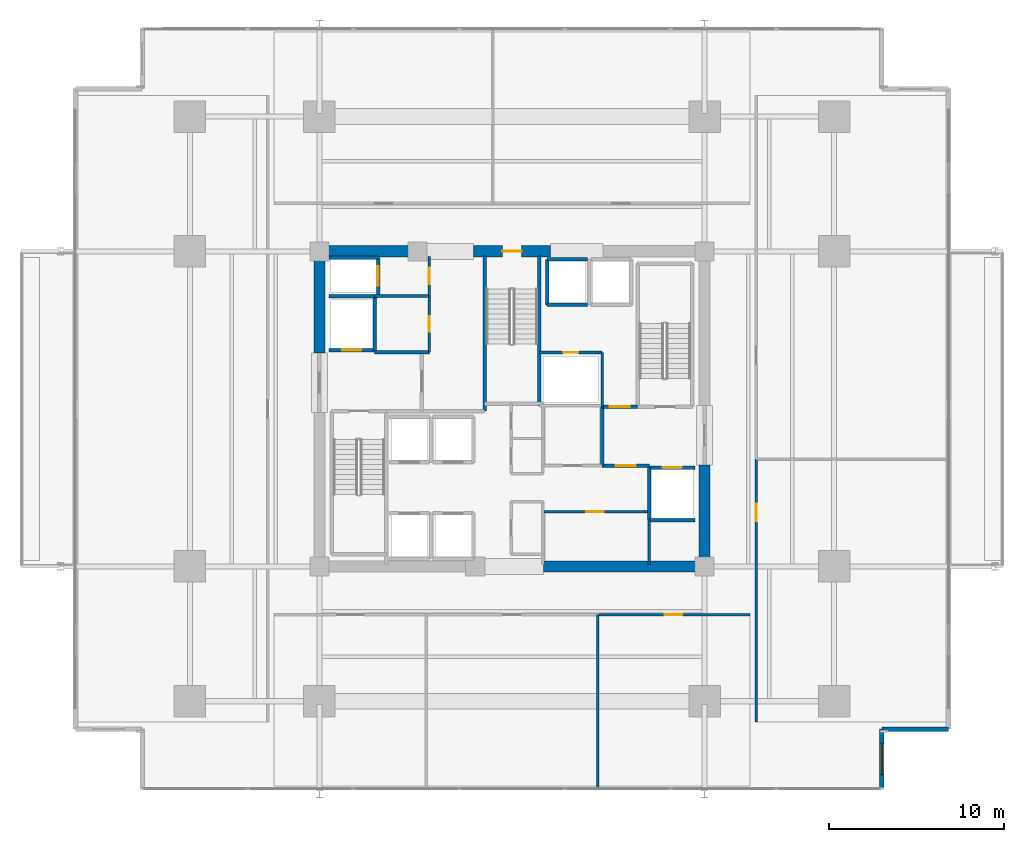
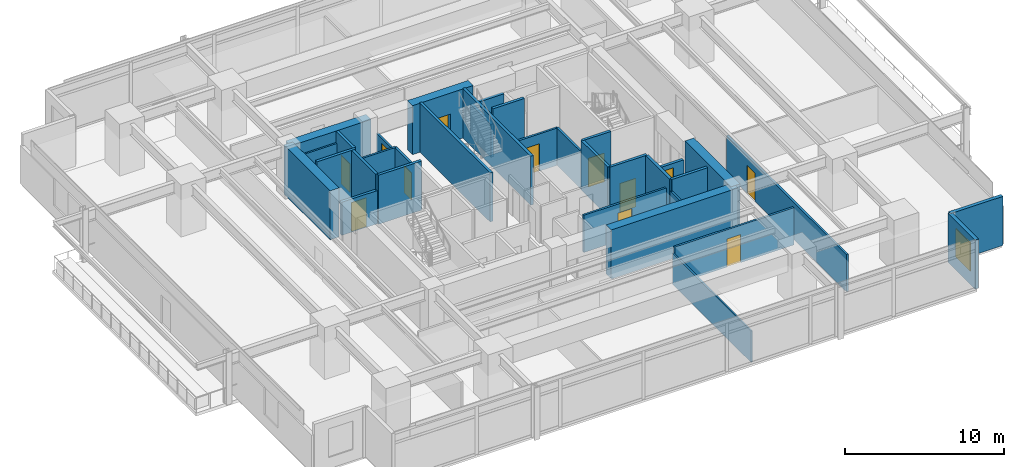
# One storey, part 16 of 21: 34 walls, 12 doors, 1 window, 13 openings.
"""IFC4 building model written with IfcOpenShell, lengths in metres."""

from ifc_helpers import new_model, si_unit, direction, frame, frame_2d, origin, place, context, subcontext, project, spatial, rectangle, extrude, material, layer, layer_set, type_object, element, fill, save


model = new_model("IFC4")

# Units and contexts
model_context = context("Model", 3, precision=1e-05, world=origin(), true_north=direction((0.0, 1.0)))
body_context = subcontext(model_context, "Body", "Model", "MODEL_VIEW")
ifc_project = project(units=[si_unit("LENGTHUNIT", "METRE"), si_unit("AREAUNIT", "SQUARE_METRE"), si_unit("VOLUMEUNIT", "CUBIC_METRE"), si_unit("PLANEANGLEUNIT", "RADIAN"), si_unit("MASSUNIT", "GRAM", prefix="KILO")], contexts=[model_context])

# Site, building, storey
site_placement = place(None, origin())
site = spatial("IfcSite", under=ifc_project, at=site_placement, CompositionType="ELEMENT")
building_placement = place(site_placement, origin())
building = spatial("IfcBuilding", under=site, at=building_placement, Name="Kovane Verandah Tower", CompositionType="ELEMENT")
storey_placement = place(building_placement, frame((0.0, 0.0, 31.60009765625)))
storey = spatial("IfcBuildingStorey", under=building, at=storey_placement, Name="L06", CompositionType="ELEMENT", Elevation=31.60009765625)

# Wall
ifc_material_1 = material(Name="Fire-Rated Gypsum Stud Partition", Category="gypsum")
ifc_layer_1 = layer(ifc_material_1, 0.14990234375)
ifc_layer_set_1 = layer_set([ifc_layer_1], Name="Fire-Rated Gypsum Stud Partition")
wall_type_1 = type_object("IfcWallType", Name="WL-COR-150", PredefinedType="PARTITIONING", material=ifc_layer_set_1)
wall_1_placement = place(storey_placement, frame((32.14990234375, 33.949951171875, 0.0), z_axis=(0.0, 0.0, 1.0), x_axis=(1.0, 0.0, 0.0)))
element("IfcWall", 1, at=wall_1_placement, inside=storey, type_object=wall_type_1, Name="L06 Goods Lift Lobby South Wall", PredefinedType="PARTITIONING", context=body_context, shape_type="SweptSolid", body=[
    extrude(rectangle(XDim=3.130126953125, YDim=0.14990234375, at=frame_2d((1.56494140625, 0.0))), origin(), (0.0, 0.0, 1.0), 2.849853515625),
])

# Wall, opening, door
wall_2_placement = place(storey_placement, frame((35.280029296875, 33.949951171875, 0.0), z_axis=(0.0, 0.0, 1.0), x_axis=(0.0, 1.0, 0.0)))
wall_2 = element("IfcWall", 2, at=wall_2_placement, inside=storey, type_object=wall_type_1, Name="L06 Goods Lift Lobby East Fire Partition", PredefinedType="PARTITIONING", context=body_context, shape_type="SweptSolid", body=[
    extrude(rectangle(XDim=2.27001953125, YDim=0.14990234375, at=frame_2d((1.135009765625, 0.0))), origin(), (0.0, 0.0, 1.0), 2.539794921875),
])
opening_1_placement = place(wall_2_placement, frame((0.659912109375, 0.0, 0.0)))
opening_1 = element("IfcOpeningElement", 3, at=opening_1_placement, cuts=wall_2, Name="Opening DR-L06-008", PredefinedType="OPENING", context=body_context, shape_type="SweptSolid", body=[
    extrude(rectangle(XDim=0.949951171875, YDim=2.14990234375, at=frame_2d((0.47509765625, 1.074951171875))), frame((0.0, 0.074951171875, 0.0), z_axis=(0.0, -1.0, 0.0), x_axis=(1.0, 0.0, 0.0)), (0.0, 0.0, 1.0), 0.14990234375),
])
ifc_material_2 = material(Name="Fire-Rated Steel Refuge and Lobby Door", Category="steel")
door_type_1 = type_object("IfcDoorType", Name="DR-FIRE-950", OperationType="SINGLE_SWING_LEFT", PredefinedType="DOOR", material=ifc_material_2)
door_1_placement = place(opening_1_placement, origin())
door_1 = element("IfcDoor", 4, at=door_1_placement, inside=storey, type_object=door_type_1, Name="L06 Goods Lift Lobby Fire Door", OperationType="SINGLE_SWING_LEFT", OverallHeight=2.14990234375, OverallWidth=0.949951171875, PredefinedType="DOOR", context=body_context, shape_type="SweptSolid", body=[
    extrude(rectangle(XDim=0.949951171875, YDim=2.14990234375, at=frame_2d((0.47509765625, 1.074951171875))), frame((0.0, 0.02490234375, 0.0), z_axis=(0.0, -1.0, 0.0), x_axis=(1.0, 0.0, 0.0)), (0.0, 0.0, 1.0), 0.050048828125),
])
fill(opening_1, door_1)

wall_3_placement = place(storey_placement, frame((35.280029296875, 30.75, 0.0), z_axis=(0.0, 0.0, 1.0), x_axis=(0.0, 1.0, 0.0)))
wall_3 = element("IfcWall", 5, at=wall_3_placement, inside=storey, type_object=wall_type_1, Name="L06 Accessible Unisex Toilet Partition", PredefinedType="PARTITIONING", context=body_context, shape_type="SweptSolid", body=[
    extrude(rectangle(XDim=3.199951171875, YDim=0.14990234375, at=frame_2d((1.60009765625, 0.0))), origin(), (0.0, 0.0, 1.0), 2.849853515625),
])
opening_2_placement = place(wall_3_placement, frame((1.14990234375, 0.0, 0.0)))
opening_2 = element("IfcOpeningElement", 6, at=opening_2_placement, cuts=wall_3, Name="Opening DR-L06-023", PredefinedType="OPENING", context=body_context, shape_type="SweptSolid", body=[
    extrude(rectangle(XDim=0.89990234375, YDim=2.10009765625, at=frame_2d((0.449951171875, 1.050048828125))), frame((0.0, 0.074951171875, 0.0), z_axis=(0.0, -1.0, 0.0), x_axis=(1.0, 0.0, 0.0)), (0.0, 0.0, 1.0), 0.14990234375),
])
ifc_material_3 = material(Name="Moisture-Resistant Laminate Washroom Door", Category="wood")
door_type_2 = type_object("IfcDoorType", Name="DR-WC-900", OperationType="SINGLE_SWING_LEFT", PredefinedType="DOOR", material=ifc_material_3)
door_2_placement = place(opening_2_placement, origin())
door_2 = element("IfcDoor", 7, at=door_2_placement, inside=storey, type_object=door_type_2, Name="L06 Accessible Unisex Toilet Door", OperationType="SINGLE_SWING_RIGHT", OverallHeight=2.10009765625, OverallWidth=0.89990234375, PredefinedType="DOOR", context=body_context, shape_type="SweptSolid", body=[
    extrude(rectangle(XDim=0.89990234375, YDim=2.10009765625, at=frame_2d((0.449951171875, 1.050048828125))), frame((0.0, 0.02490234375, 0.0), z_axis=(0.0, -1.0, 0.0), x_axis=(1.0, 0.0, 0.0)), (0.0, 0.0, 1.0), 0.050048828125),
])
fill(opening_2, door_2)

# Wall
wall_4_placement = place(storey_placement, frame((47.85009765625, 18.60009765625, 0.0), z_axis=(0.0, 0.0, 1.0), x_axis=(0.0, 1.0, 0.0)))
element("IfcWall", 8, at=wall_4_placement, inside=storey, type_object=wall_type_1, Name="L06 East Core Support East Wall", PredefinedType="PARTITIONING", context=body_context, shape_type="SweptSolid", body=[
    extrude(rectangle(XDim=2.539794921875, YDim=0.14990234375, at=frame_2d((1.27001953125, 0.0))), origin(), (0.0, 0.0, 1.0), 2.849853515625),
])

# Wall, opening, door
wall_5_placement = place(storey_placement, frame((41.760009765625, 21.6201171875, 0.0), z_axis=(0.0, 0.0, 1.0), x_axis=(1.0, 0.0, 0.0)))
wall_5 = element("IfcWall", 9, at=wall_5_placement, inside=storey, type_object=wall_type_1, Name="L06 Records Vault Room Partition", PredefinedType="PARTITIONING", context=body_context, shape_type="SweptSolid", body=[
    extrude(rectangle(XDim=5.97998046875, YDim=0.14990234375, at=frame_2d((2.989990234375, 0.0))), origin(), (0.0, 0.0, 1.0), 2.849853515625),
])
opening_3_placement = place(wall_5_placement, frame((2.489990234375, 0.0, 0.0)))
opening_3 = element("IfcOpeningElement", 10, at=opening_3_placement, cuts=wall_5, Name="Opening DR-L06-014", PredefinedType="OPENING", context=body_context, shape_type="SweptSolid", body=[
    extrude(rectangle(XDim=1.0, YDim=2.14990234375, at=frame_2d((0.5, 1.074951171875))), frame((0.0, 0.074951171875, 0.0), z_axis=(0.0, -1.0, 0.0), x_axis=(1.0, 0.0, 0.0)), (0.0, 0.0, 1.0), 0.14990234375),
])
ifc_material_4 = material(Name="FSC Spotted-Gum Timber Fire-Rated Office Door", Category="wood")
door_type_3 = type_object("IfcDoorType", Name="DR-OFF-1000", OperationType="SINGLE_SWING_LEFT", PredefinedType="DOOR", material=ifc_material_4)
door_3_placement = place(opening_3_placement, origin())
door_3 = element("IfcDoor", 11, at=door_3_placement, inside=storey, type_object=door_type_3, Name="L06 Records Vault Room Door", OperationType="SINGLE_SWING_LEFT", OverallHeight=2.14990234375, OverallWidth=1.0, PredefinedType="DOOR", context=body_context, shape_type="SweptSolid", body=[
    extrude(rectangle(XDim=1.0, YDim=2.14990234375, at=frame_2d((0.5, 1.074951171875))), frame((0.0, 0.02490234375, 0.0), z_axis=(0.0, -1.0, 0.0), x_axis=(1.0, 0.0, 0.0)), (0.0, 0.0, 1.0), 0.050048828125),
])
fill(opening_3, door_3)

# Wall
wall_6_placement = place(storey_placement, frame((45.14990234375, 27.6201171875, 0.0), z_axis=(0.0, 0.0, 1.0), x_axis=(0.0, 1.0, 0.0)))
element("IfcWall", 12, at=wall_6_placement, inside=storey, type_object=wall_type_1, Name="L06 East Core Service Riser East Wall", PredefinedType="PARTITIONING", context=body_context, shape_type="SweptSolid", body=[
    extrude(rectangle(XDim=3.099853515625, YDim=0.14990234375, at=frame_2d((1.5498046875, 0.0))), origin(), (0.0, 0.0, 1.0), 2.849853515625),
])

# Wall, opening, door
wall_7_placement = place(storey_placement, frame((41.56005859375, 30.719970703125, 0.0), z_axis=(0.0, 0.0, 1.0), x_axis=(1.0, 0.0, 0.0)))
wall_7 = element("IfcWall", 13, at=wall_7_placement, inside=storey, type_object=wall_type_1, Name="L06 Combined Chilled Water and Smoke Duct Room Partition", PredefinedType="PARTITIONING", context=body_context, shape_type="SweptSolid", body=[
    extrude(rectangle(XDim=3.58984375, YDim=0.14990234375, at=frame_2d((1.794921875, 0.0))), origin(), (0.0, 0.0, 1.0), 2.849853515625),
])
opening_4_placement = place(wall_7_placement, frame((1.35498046875, 0.0, 0.0)))
opening_4 = element("IfcOpeningElement", 14, at=opening_4_placement, cuts=wall_7, Name="Opening DR-L06-016", PredefinedType="OPENING", context=body_context, shape_type="SweptSolid", body=[
    extrude(rectangle(XDim=0.8798828125, YDim=2.10009765625, at=frame_2d((0.43994140625, 1.050048828125))), frame((0.0, 0.074951171875, 0.0), z_axis=(0.0, -1.0, 0.0), x_axis=(1.0, 0.0, 0.0)), (0.0, 0.0, 1.0), 0.14990234375),
])
ifc_material_5 = material(Name="Fire-Rated Steel Riser Access Door", Category="steel")
door_type_4 = type_object("IfcDoorType", Name="DR-RISER-880", OperationType="SINGLE_SWING_LEFT", PredefinedType="DOOR", material=ifc_material_5)
door_4_placement = place(opening_4_placement, origin())
door_4 = element("IfcDoor", 15, at=door_4_placement, inside=storey, type_object=door_type_4, Name="L06 Combined Chilled Water and Smoke Duct Room Door", OperationType="SINGLE_SWING_LEFT", OverallHeight=2.10009765625, OverallWidth=0.8798828125, PredefinedType="DOOR", context=body_context, shape_type="SweptSolid", body=[
    extrude(rectangle(XDim=0.8798828125, YDim=2.10009765625, at=frame_2d((0.43994140625, 1.050048828125))), frame((0.0, 0.02490234375, 0.0), z_axis=(0.0, -1.0, 0.0), x_axis=(1.0, 0.0, 0.0)), (0.0, 0.0, 1.0), 0.050048828125),
])
fill(opening_4, door_4)

wall_8_placement = place(storey_placement, frame((44.966064453125, 15.75, 0.0), z_axis=(0.0, 0.0, 1.0), x_axis=(1.0, 0.0, 0.0)))
wall_8 = element("IfcWall", 16, at=wall_8_placement, inside=storey, type_object=wall_type_1, Name="L06 Focus Studio S3 Corridor Partition", PredefinedType="PARTITIONING", context=body_context, shape_type="SweptSolid", body=[
    extrude(rectangle(XDim=8.634033203125, YDim=0.14990234375, at=frame_2d((4.31689453125, 0.0))), origin(), (0.0, 0.0, 1.0), 2.849853515625),
])
opening_5_placement = place(wall_8_placement, frame((3.76708984375, 0.0, 0.0)))
opening_5 = element("IfcOpeningElement", 17, at=opening_5_placement, cuts=wall_8, Name="Opening DR-L06-021", PredefinedType="OPENING", context=body_context, shape_type="SweptSolid", body=[
    extrude(rectangle(XDim=1.0, YDim=2.14990234375, at=frame_2d((0.5, 1.074951171875))), frame((0.0, 0.074951171875, 0.0), z_axis=(0.0, -1.0, 0.0), x_axis=(1.0, 0.0, 0.0)), (0.0, 0.0, 1.0), 0.14990234375),
])
door_5_placement = place(opening_5_placement, origin())
door_5 = element("IfcDoor", 18, at=door_5_placement, inside=storey, type_object=door_type_3, Name="L06 Focus Studio S3 Entrance Door", OperationType="SINGLE_SWING_RIGHT", OverallHeight=2.14990234375, OverallWidth=1.0, PredefinedType="DOOR", context=body_context, shape_type="SweptSolid", body=[
    extrude(rectangle(XDim=1.0, YDim=2.14990234375, at=frame_2d((0.5, 1.074951171875))), frame((0.0, 0.02490234375, 0.0), z_axis=(0.0, -1.0, 0.0), x_axis=(1.0, 0.0, 0.0)), (0.0, 0.0, 1.0), 0.050048828125),
])
fill(opening_5, door_5)

wall_9_placement = place(storey_placement, frame((53.949951171875, 9.60498046875, 0.0), z_axis=(0.0, 0.0, 1.0), x_axis=(0.0, 1.0, 0.0)))
wall_9 = element("IfcWall", 19, at=wall_9_placement, inside=storey, type_object=wall_type_1, Name="L06 Collaboration Hub E1 Corridor Partition", PredefinedType="PARTITIONING", context=body_context, shape_type="SweptSolid", body=[
    extrude(rectangle(XDim=15.03173828125, YDim=0.14990234375, at=frame_2d((7.515869140625, 0.0))), origin(), (0.0, 0.0, 1.0), 2.849853515625),
])
opening_6_placement = place(wall_9_placement, frame((11.478515625, 0.0, 0.0)))
opening_6 = element("IfcOpeningElement", 20, at=opening_6_placement, cuts=wall_9, Name="Opening DR-L06-012", PredefinedType="OPENING", context=body_context, shape_type="SweptSolid", body=[
    extrude(rectangle(XDim=1.0, YDim=2.14990234375, at=frame_2d((0.5, 1.074951171875))), frame((0.0, 0.074951171875, 0.0), z_axis=(0.0, -1.0, 0.0), x_axis=(1.0, 0.0, 0.0)), (0.0, 0.0, 1.0), 0.14990234375),
])
door_6_placement = place(opening_6_placement, origin())
door_6 = element("IfcDoor", 21, at=door_6_placement, inside=storey, type_object=door_type_3, Name="L06 Collaboration Hub E1 Entrance Door", OperationType="SINGLE_SWING_RIGHT", OverallHeight=2.14990234375, OverallWidth=1.0, PredefinedType="DOOR", context=body_context, shape_type="SweptSolid", body=[
    extrude(rectangle(XDim=1.0, YDim=2.14990234375, at=frame_2d((0.5, 1.074951171875))), frame((0.0, 0.02490234375, 0.0), z_axis=(0.0, -1.0, 0.0), x_axis=(1.0, 0.0, 0.0)), (0.0, 0.0, 1.0), 0.050048828125),
])
fill(opening_6, door_6)

# Walls
ifc_material_6 = material(Name="Concrete C80/95", Category="concrete")
ifc_layer_2 = layer(ifc_material_6, 0.64990234375)
ifc_layer_set_2 = layer_set([ifc_layer_2], Name="Concrete C80/95")
wall_type_2 = type_object("IfcWallType", Name="WL-CORE-650", PredefinedType="SHEAR", material=ifc_layer_set_2)
wall_10_placement = place(storey_placement, frame((41.800048828125, 18.5, 0.0), z_axis=(0.0, 0.0, 1.0), x_axis=(1.0, 0.0, 0.0)))
element("IfcWall", 22, at=wall_10_placement, inside=storey, type_object=wall_type_2, Name="L06 Core Shear Wall CS-2", PredefinedType="SHEAR", context=body_context, shape_type="SweptSolid", body=[
    extrude(rectangle(XDim=9.199951171875, YDim=0.64990234375, at=frame_2d((4.60009765625, 0.0))), origin(), (0.0, 0.0, 1.0), 3.760009765625),
])
wall_11_placement = place(storey_placement, frame((29.0, 36.5, 0.0), z_axis=(0.0, 0.0, 1.0), x_axis=(1.0, 0.0, 0.0)))
element("IfcWall", 23, at=wall_11_placement, inside=storey, type_object=wall_type_2, Name="L06 Core Shear Wall CN-1", PredefinedType="SHEAR", context=body_context, shape_type="SweptSolid", body=[
    extrude(rectangle(XDim=5.800048828125, YDim=0.64990234375, at=frame_2d((2.89990234375, 0.0))), origin(), (0.0, 0.0, 1.0), 3.760009765625),
])

# Wall, opening, door
wall_12_placement = place(storey_placement, frame((37.800048828125, 36.5, 0.0), z_axis=(0.0, 0.0, 1.0), x_axis=(1.0, 0.0, 0.0)))
wall_12 = element("IfcWall", 24, at=wall_12_placement, inside=storey, type_object=wall_type_2, Name="L06 Core Shear Wall CN-2", PredefinedType="SHEAR", context=body_context, shape_type="SweptSolid", body=[
    extrude(rectangle(XDim=4.39990234375, YDim=0.64990234375, at=frame_2d((2.199951171875, 0.0))), origin(), (0.0, 0.0, 1.0), 3.760009765625),
])
opening_7_placement = place(wall_12_placement, frame((1.64990234375, 0.0, 0.0)))
opening_7 = element("IfcOpeningElement", 25, at=opening_7_placement, cuts=wall_12, Name="Opening DR-L06-011", PredefinedType="OPENING", context=body_context, shape_type="SweptSolid", body=[
    extrude(rectangle(XDim=1.10009765625, YDim=2.14990234375, at=frame_2d((0.550048828125, 1.074951171875))), frame((0.0, 0.324951171875, 0.0), z_axis=(0.0, -1.0, 0.0), x_axis=(1.0, 0.0, 0.0)), (0.0, 0.0, 1.0), 0.64990234375),
])
ifc_material_7 = material(Name="Fire-Rated Steel Exit Door", Category="steel")
door_type_5 = type_object("IfcDoorType", Name="DR-STAIR-1100", OperationType="SINGLE_SWING_LEFT", PredefinedType="DOOR", material=ifc_material_7)
door_7_placement = place(opening_7_placement, origin())
door_7 = element("IfcDoor", 26, at=door_7_placement, inside=storey, type_object=door_type_5, Name="L06 ST-03 Fire Exit Stair Door", OperationType="SINGLE_SWING_LEFT", OverallHeight=2.14990234375, OverallWidth=1.10009765625, PredefinedType="DOOR", context=body_context, shape_type="SweptSolid", body=[
    extrude(rectangle(XDim=1.10009765625, YDim=2.14990234375, at=frame_2d((0.550048828125, 1.074951171875))), frame((0.0, 0.02490234375, 0.0), z_axis=(0.0, -1.0, 0.0), x_axis=(1.0, 0.0, 0.0)), (0.0, 0.0, 1.0), 0.050048828125),
])
fill(opening_7, door_7)

# Walls
for number, where, z_axis, x_axis, name in (
    (27, (29.0, 30.699951171875, 0.0), (0.0, 0.0, 1.0), (0.0, 1.0, 0.0), "L06 Core Shear Wall CW-2"),
    (28, (51.0, 18.5, 0.0), (0.0, 0.0, 1.0), (0.0, 1.0, 0.0), "L06 Core Shear Wall CE-1"),
):
    element("IfcWall", number, at=place(storey_placement, frame(where, z_axis=z_axis, x_axis=x_axis)), inside=storey, type_object=wall_type_2, Name=name, PredefinedType="SHEAR", context=body_context, shape_type="SweptSolid", body=[
        extrude(rectangle(XDim=5.800048828125, YDim=0.64990234375, at=frame_2d((2.89990234375, 0.0))), origin(), (0.0, 0.0, 1.0), 3.760009765625),
    ])
ifc_material_8 = material(Name="Concrete C45/55 Fire Wall", Category="concrete")
ifc_layer_3 = layer(ifc_material_8, 0.199951171875)
ifc_layer_set_3 = layer_set([ifc_layer_3], Name="Concrete C45/55 Fire Wall")
wall_type_3 = type_object("IfcWallType", Name="WL-FFL-200", PredefinedType="PARTITIONING", material=ifc_layer_set_3)
wall_13_placement = place(storey_placement, frame((32.14990234375, 30.75, 0.0), z_axis=(0.0, 0.0, 1.0), x_axis=(1.0, 0.0, 0.0)))
element("IfcWall", 29, at=wall_13_placement, inside=storey, type_object=wall_type_3, Name="L06 West Firefighting Lobby North Fire Wall", PredefinedType="PARTITIONING", context=body_context, shape_type="SweptSolid", body=[
    extrude(rectangle(XDim=3.130126953125, YDim=0.199951171875, at=frame_2d((1.56494140625, 0.0))), origin(), (0.0, 0.0, 1.0), 3.760009765625),
])
wall_14_placement = place(storey_placement, frame((45.14990234375, 24.25, 0.0), z_axis=(0.0, 0.0, 1.0), x_axis=(0.0, 1.0, 0.0)))
element("IfcWall", 30, at=wall_14_placement, inside=storey, type_object=wall_type_3, Name="L06 East Firefighting Lobby West Fire Wall", PredefinedType="PARTITIONING", context=body_context, shape_type="SweptSolid", body=[
    extrude(rectangle(XDim=3.3701171875, YDim=0.199951171875, at=frame_2d((1.68505859375, 0.0))), origin(), (0.0, 0.0, 1.0), 3.760009765625),
])

# Wall, opening, door
wall_15_placement = place(storey_placement, frame((45.14990234375, 24.25, 0.0), z_axis=(0.0, 0.0, 1.0), x_axis=(1.0, 0.0, 0.0)))
wall_15 = element("IfcWall", 31, at=wall_15_placement, inside=storey, type_object=wall_type_3, Name="W-L06-FFLE-S", PredefinedType="PARTITIONING", context=body_context, shape_type="SweptSolid", body=[
    extrude(rectangle(XDim=2.7001953125, YDim=0.199951171875, at=frame_2d((1.35009765625, 0.0))), origin(), (0.0, 0.0, 1.0), 3.760009765625),
])
opening_8_placement = place(wall_15_placement, frame((0.77490234375, 0.0, 0.0)))
opening_8 = element("IfcOpeningElement", 32, at=opening_8_placement, cuts=wall_15, Name="Opening DR-L06-003", PredefinedType="OPENING", context=body_context, shape_type="SweptSolid", body=[
    extrude(rectangle(XDim=1.14990234375, YDim=2.199951171875, at=frame_2d((0.574951171875, 1.10009765625))), frame((0.0, 0.10009765625, 0.0), z_axis=(0.0, -1.0, 0.0), x_axis=(1.0, 0.0, 0.0)), (0.0, 0.0, 1.0), 0.199951171875),
])
ifc_material_9 = material(Name="Smoke-Sealed Firefighting Lobby Door", Category="steel")
door_type_6 = type_object("IfcDoorType", Name="DR-FFL-1150", OperationType="SINGLE_SWING_LEFT", PredefinedType="DOOR", material=ifc_material_9)
door_8_placement = place(opening_8_placement, origin())
door_8 = element("IfcDoor", 33, at=door_8_placement, inside=storey, type_object=door_type_6, Name="L06 East Firefighting Lobby Inner Door", OperationType="SINGLE_SWING_RIGHT", OverallHeight=2.199951171875, OverallWidth=1.14990234375, PredefinedType="DOOR", context=body_context, shape_type="SweptSolid", body=[
    extrude(rectangle(XDim=1.14990234375, YDim=2.199951171875, at=frame_2d((0.574951171875, 1.10009765625))), frame((0.0, 0.02490234375, 0.0), z_axis=(0.0, -1.0, 0.0), x_axis=(1.0, 0.0, 0.0)), (0.0, 0.0, 1.0), 0.050048828125),
])
fill(opening_8, door_8)

wall_16_placement = place(storey_placement, frame((45.14990234375, 27.6201171875, 0.0), z_axis=(0.0, 0.0, 1.0), x_axis=(1.0, 0.0, 0.0)))
wall_16 = element("IfcWall", 34, at=wall_16_placement, inside=storey, type_object=wall_type_3, Name="W-L06-FFLE-N", PredefinedType="PARTITIONING", context=body_context, shape_type="SweptSolid", body=[
    extrude(rectangle(XDim=2.030029296875, YDim=0.199951171875, at=frame_2d((1.01513671875, 0.0))), origin(), (0.0, 0.0, 1.0), 3.760009765625),
])
opening_9_placement = place(wall_16_placement, frame((0.43994140625, 0.0, 0.0)))
opening_9 = element("IfcOpeningElement", 35, at=opening_9_placement, cuts=wall_16, Name="Opening DR-L06-004", PredefinedType="OPENING", context=body_context, shape_type="SweptSolid", body=[
    extrude(rectangle(XDim=1.14990234375, YDim=2.199951171875, at=frame_2d((0.574951171875, 1.10009765625))), frame((0.0, 0.10009765625, 0.0), z_axis=(0.0, -1.0, 0.0), x_axis=(1.0, 0.0, 0.0)), (0.0, 0.0, 1.0), 0.199951171875),
])
door_9_placement = place(opening_9_placement, origin())
door_9 = element("IfcDoor", 36, at=door_9_placement, inside=storey, type_object=door_type_6, Name="L06 East Firefighting Lobby Shuttle Link Door", OperationType="SINGLE_SWING_LEFT", OverallHeight=2.199951171875, OverallWidth=1.14990234375, PredefinedType="DOOR", context=body_context, shape_type="SweptSolid", body=[
    extrude(rectangle(XDim=1.14990234375, YDim=2.199951171875, at=frame_2d((0.574951171875, 1.10009765625))), frame((0.0, 0.02490234375, 0.0), z_axis=(0.0, -1.0, 0.0), x_axis=(1.0, 0.0, 0.0)), (0.0, 0.0, 1.0), 0.050048828125),
])
fill(opening_9, door_9)

ifc_material_10 = material(Name="Concrete C45/55 Lift Shaft Wall", Category="concrete")
ifc_layer_4 = layer(ifc_material_10, 0.199951171875)
ifc_layer_set_4 = layer_set([ifc_layer_4], Name="Concrete C45/55 Lift Shaft Wall")
wall_type_4 = type_object("IfcWallType", Name="WL-LIFT-200", PredefinedType="SOLIDWALL", material=ifc_layer_set_4)
wall_17_placement = place(storey_placement, frame((29.550048828125, 30.85009765625, 0.0), z_axis=(0.0, 0.0, 1.0), x_axis=(1.0, 0.0, 0.0)))
wall_17 = element("IfcWall", 37, at=wall_17_placement, inside=storey, type_object=wall_type_4, Name="L06 Lift FL-01 S Shaft Wall", PredefinedType="SOLIDWALL", context=body_context, shape_type="SweptSolid", body=[
    extrude(rectangle(XDim=2.599853515625, YDim=0.199951171875, at=frame_2d((1.2998046875, 0.0))), origin(), (0.0, 0.0, 1.0), 2.539794921875),
])
opening_10_placement = place(wall_17_placement, frame((0.75, 0.0, 0.0)))
opening_10 = element("IfcOpeningElement", 38, at=opening_10_placement, cuts=wall_17, Name="Opening LD-L06-001", PredefinedType="OPENING", context=body_context, shape_type="SweptSolid", body=[
    extrude(rectangle(XDim=1.10009765625, YDim=2.199951171875, at=frame_2d((0.550048828125, 1.10009765625))), frame((0.0, 0.10009765625, 0.0), z_axis=(0.0, -1.0, 0.0), x_axis=(1.0, 0.0, 0.0)), (0.0, 0.0, 1.0), 0.199951171875),
])
ifc_material_11 = material(Name="Brushed Stainless Steel Sliding Lift Landing Door", Category="steel")
door_type_7 = type_object("IfcDoorType", Name="DR-LIFT-1100", OperationType="SLIDING_TO_RIGHT", PredefinedType="DOOR", material=ifc_material_11)
door_10_placement = place(opening_10_placement, origin())
door_10 = element("IfcDoor", 39, at=door_10_placement, inside=storey, type_object=door_type_7, Name="L06 Lift FL-01 Sliding Landing Door", OperationType="SLIDING_TO_RIGHT", OverallHeight=2.199951171875, OverallWidth=1.10009765625, PredefinedType="DOOR", context=body_context, shape_type="SweptSolid", body=[
    extrude(rectangle(XDim=1.10009765625, YDim=2.199951171875, at=frame_2d((0.550048828125, 1.10009765625))), frame((0.0, 0.02490234375, 0.0), z_axis=(0.0, -1.0, 0.0), x_axis=(1.0, 0.0, 0.0)), (0.0, 0.0, 1.0), 0.050048828125),
])
fill(opening_10, door_10)

# Walls
wall_18_placement = place(storey_placement, frame((29.550048828125, 33.949951171875, 0.0), z_axis=(0.0, 0.0, 1.0), x_axis=(1.0, 0.0, 0.0)))
element("IfcWall", 40, at=wall_18_placement, inside=storey, type_object=wall_type_4, Name="L06 Lift FL-01 and GL-01 Shared Shaft Wall", PredefinedType="SOLIDWALL", context=body_context, shape_type="SweptSolid", body=[
    extrude(rectangle(XDim=2.800048828125, YDim=0.199951171875, at=frame_2d((1.39990234375, 0.0))), origin(), (0.0, 0.0, 1.0), 3.760009765625),
])
wall_19_placement = place(storey_placement, frame((32.14990234375, 30.85009765625, 0.0), z_axis=(0.0, 0.0, 1.0), x_axis=(0.0, 1.0, 0.0)))
element("IfcWall", 41, at=wall_19_placement, inside=storey, type_object=wall_type_4, Name="L06 Lift FL-01 E Shaft Wall", PredefinedType="SOLIDWALL", context=body_context, shape_type="SweptSolid", body=[
    extrude(rectangle(XDim=3.0, YDim=0.199951171875, at=frame_2d((1.5, 0.0))), origin(), (0.0, 0.0, 1.0), 3.760009765625),
])
wall_20_placement = place(storey_placement, frame((47.85009765625, 21.14990234375, 0.0), z_axis=(0.0, 0.0, 1.0), x_axis=(1.0, 0.0, 0.0)))
element("IfcWall", 42, at=wall_20_placement, inside=storey, type_object=wall_type_4, Name="L06 Lift FL-02 S Shaft Wall", PredefinedType="SOLIDWALL", context=body_context, shape_type="SweptSolid", body=[
    extrude(rectangle(XDim=2.599853515625, YDim=0.199951171875, at=frame_2d((1.2998046875, 0.0))), origin(), (0.0, 0.0, 1.0), 3.760009765625),
])

# Wall, opening, door
wall_21_placement = place(storey_placement, frame((50.449951171875, 24.14990234375, 0.0), z_axis=(0.0, 0.0, 1.0), x_axis=(-1.0, 0.0, 0.0)))
wall_21 = element("IfcWall", 43, at=wall_21_placement, inside=storey, type_object=wall_type_4, Name="L06 Lift FL-02 N Shaft Wall", PredefinedType="SOLIDWALL", context=body_context, shape_type="SweptSolid", body=[
    extrude(rectangle(XDim=2.599853515625, YDim=0.199951171875, at=frame_2d((1.2998046875, 0.0))), origin(), (0.0, 0.0, 1.0), 2.539794921875),
])
opening_11_placement = place(wall_21_placement, frame((0.75, 0.0, 0.0)))
opening_11 = element("IfcOpeningElement", 44, at=opening_11_placement, cuts=wall_21, Name="Opening LD-L06-002", PredefinedType="OPENING", context=body_context, shape_type="SweptSolid", body=[
    extrude(rectangle(XDim=1.10009765625, YDim=2.199951171875, at=frame_2d((0.550048828125, 1.10009765625))), frame((0.0, 0.10009765625, 0.0), z_axis=(0.0, -1.0, 0.0), x_axis=(1.0, 0.0, 0.0)), (0.0, 0.0, 1.0), 0.199951171875),
])
door_11_placement = place(opening_11_placement, origin())
door_11 = element("IfcDoor", 45, at=door_11_placement, inside=storey, type_object=door_type_7, Name="L06 Lift FL-02 Sliding Landing Door", OperationType="SLIDING_TO_RIGHT", OverallHeight=2.199951171875, OverallWidth=1.10009765625, PredefinedType="DOOR", context=body_context, shape_type="SweptSolid", body=[
    extrude(rectangle(XDim=1.10009765625, YDim=2.199951171875, at=frame_2d((0.550048828125, 1.10009765625))), frame((0.0, 0.02490234375, 0.0), z_axis=(0.0, -1.0, 0.0), x_axis=(1.0, 0.0, 0.0)), (0.0, 0.0, 1.0), 0.050048828125),
])
fill(opening_11, door_11)

# Walls
wall_22_placement = place(storey_placement, frame((47.85009765625, 24.14990234375, 0.0), z_axis=(0.0, 0.0, 1.0), x_axis=(0.0, -1.0, 0.0)))
element("IfcWall", 46, at=wall_22_placement, inside=storey, type_object=wall_type_4, Name="L06 Lift FL-02 W Shaft Wall", PredefinedType="SOLIDWALL", context=body_context, shape_type="SweptSolid", body=[
    extrude(rectangle(XDim=3.0, YDim=0.199951171875, at=frame_2d((1.5, 0.0))), origin(), (0.0, 0.0, 1.0), 3.760009765625),
])
wall_23_placement = place(storey_placement, frame((32.35009765625, 36.14990234375, 0.0), z_axis=(0.0, 0.0, 1.0), x_axis=(-1.0, 0.0, 0.0)))
element("IfcWall", 47, at=wall_23_placement, inside=storey, type_object=wall_type_4, Name="L06 Lift GL-01 N Shaft Wall", PredefinedType="SOLIDWALL", context=body_context, shape_type="SweptSolid", body=[
    extrude(rectangle(XDim=2.800048828125, YDim=0.199951171875, at=frame_2d((1.39990234375, 0.0))), origin(), (0.0, 0.0, 1.0), 2.88916015625),
])

# Wall, opening, door
wall_24_placement = place(storey_placement, frame((32.35009765625, 34.050048828125, 0.0), z_axis=(0.0, 0.0, 1.0), x_axis=(0.0, 1.0, 0.0)))
wall_24 = element("IfcWall", 48, at=wall_24_placement, inside=storey, type_object=wall_type_4, Name="L06 Lift GL-01 E Shaft Wall", PredefinedType="SOLIDWALL", context=body_context, shape_type="SweptSolid", body=[
    extrude(rectangle(XDim=2.099853515625, YDim=0.199951171875, at=frame_2d((1.0498046875, 0.0))), origin(), (0.0, 0.0, 1.0), 3.760009765625),
])
opening_12_placement = place(wall_24_placement, frame((0.5, 0.0, 0.0)))
opening_12 = element("IfcOpeningElement", 49, at=opening_12_placement, cuts=wall_24, Name="Opening LD-L06-003", PredefinedType="OPENING", context=body_context, shape_type="SweptSolid", body=[
    extrude(rectangle(XDim=1.10009765625, YDim=2.199951171875, at=frame_2d((0.550048828125, 1.10009765625))), frame((0.0, 0.10009765625, 0.0), z_axis=(0.0, -1.0, 0.0), x_axis=(1.0, 0.0, 0.0)), (0.0, 0.0, 1.0), 0.199951171875),
])
door_12_placement = place(opening_12_placement, origin())
door_12 = element("IfcDoor", 50, at=door_12_placement, inside=storey, type_object=door_type_7, Name="L06 Lift GL-01 Sliding Landing Door", OperationType="SLIDING_TO_RIGHT", OverallHeight=2.199951171875, OverallWidth=1.10009765625, PredefinedType="DOOR", context=body_context, shape_type="SweptSolid", body=[
    extrude(rectangle(XDim=1.10009765625, YDim=2.199951171875, at=frame_2d((0.550048828125, 1.10009765625))), frame((0.0, 0.02490234375, 0.0), z_axis=(0.0, -1.0, 0.0), x_axis=(1.0, 0.0, 0.0)), (0.0, 0.0, 1.0), 0.050048828125),
])
fill(opening_12, door_12)

# Walls
wall_25_placement = place(storey_placement, frame((42.0, 33.449951171875, 0.0), z_axis=(0.0, 0.0, 1.0), x_axis=(1.0, 0.0, 0.0)))
element("IfcWall", 51, at=wall_25_placement, inside=storey, type_object=wall_type_4, Name="L06 Lift SL-01 S Shaft Wall", PredefinedType="SOLIDWALL", context=body_context, shape_type="SweptSolid", body=[
    extrude(rectangle(XDim=2.300048828125, YDim=0.199951171875, at=frame_2d((1.14990234375, 0.0))), origin(), (0.0, 0.0, 1.0), 3.760009765625),
])
wall_26_placement = place(storey_placement, frame((44.300048828125, 36.050048828125, 0.0), z_axis=(0.0, 0.0, 1.0), x_axis=(-1.0, 0.0, 0.0)))
element("IfcWall", 52, at=wall_26_placement, inside=storey, type_object=wall_type_4, Name="L06 Lift SL-01 N Shaft Wall", PredefinedType="SOLIDWALL", context=body_context, shape_type="SweptSolid", body=[
    extrude(rectangle(XDim=2.300048828125, YDim=0.199951171875, at=frame_2d((1.14990234375, 0.0))), origin(), (0.0, 0.0, 1.0), 2.539794921875),
])
wall_27_placement = place(storey_placement, frame((42.0, 36.050048828125, 0.0), z_axis=(0.0, 0.0, 1.0), x_axis=(0.0, -1.0, 0.0)))
element("IfcWall", 53, at=wall_27_placement, inside=storey, type_object=wall_type_4, Name="L06 Lift SL-01 W Shaft Wall", PredefinedType="SOLIDWALL", context=body_context, shape_type="SweptSolid", body=[
    extrude(rectangle(XDim=2.60009765625, YDim=0.199951171875, at=frame_2d((1.300048828125, 0.0))), origin(), (0.0, 0.0, 1.0), 2.539794921875),
])
ifc_material_12 = material(Name="Acoustic Fire-Rated Gypsum Partition", Category="gypsum")
ifc_layer_5 = layer(ifc_material_12, 0.1201171875)
ifc_layer_set_5 = layer_set([ifc_layer_5], Name="Acoustic Fire-Rated Gypsum Partition")
wall_type_5 = type_object("IfcWallType", Name="WL-PART-120", PredefinedType="PARTITIONING", material=ifc_layer_set_5)
wall_28_placement = place(storey_placement, frame((44.89599609375, 5.905029296875, 0.0), z_axis=(0.0, 0.0, 1.0), x_axis=(0.0, 1.0, 0.0)))
element("IfcWall", 54, at=wall_28_placement, inside=storey, type_object=wall_type_5, Name="L06 Meeting Room S2 Dividing Partition", PredefinedType="PARTITIONING", context=body_context, shape_type="SweptSolid", body=[
    extrude(rectangle(XDim=9.844970703125, YDim=0.1201171875, at=frame_2d((4.92236328125, 0.0))), origin(), (0.0, 0.0, 1.0), 2.389892578125),
])
ifc_material_13 = material(Name="Concrete C45/55", Category="concrete")
ifc_layer_6 = layer(ifc_material_13, 0.199951171875)
ifc_layer_set_6 = layer_set([ifc_layer_6], Name="Concrete C45/55")
wall_type_6 = type_object("IfcWallType", Name="WL-SHAFT-200", PredefinedType="SOLIDWALL", material=ifc_layer_set_6)
wall_29_placement = place(storey_placement, frame((38.43994140625, 27.3798828125, 0.0), z_axis=(0.0, 0.0, 1.0), x_axis=(0.0, 1.0, 0.0)))
element("IfcWall", 55, at=wall_29_placement, inside=storey, type_object=wall_type_6, Name="W-L06-ST03-W", PredefinedType="SOLIDWALL", context=body_context, shape_type="SweptSolid", body=[
    extrude(rectangle(XDim=8.8701171875, YDim=0.199951171875, at=frame_2d((4.43505859375, 0.0))), origin(), (0.0, 0.0, 1.0), 3.760009765625),
])
wall_30_placement = place(storey_placement, frame((41.56005859375, 27.679931640625, 0.0), z_axis=(0.0, 0.0, 1.0), x_axis=(0.0, 1.0, 0.0)))
element("IfcWall", 56, at=wall_30_placement, inside=storey, type_object=wall_type_6, Name="W-L06-ST03-E", PredefinedType="SOLIDWALL", context=body_context, shape_type="SweptSolid", body=[
    extrude(rectangle(XDim=8.570068359375, YDim=0.199951171875, at=frame_2d((4.28515625, 0.0))), origin(), (0.0, 0.0, 1.0), 3.760009765625),
])

# Wall, opening, window
ifc_material_14 = material(Name="Concrete C45/55 Insulated Spandrel Wall", Category="concrete")
ifc_layer_7 = layer(ifc_material_14, 0.260009765625)
ifc_layer_set_7 = layer_set([ifc_layer_7], Name="Concrete C45/55 Insulated Spandrel Wall")
wall_type_7 = type_object("IfcWallType", Name="WL-SPANDREL-260", PredefinedType="PARAPET", material=ifc_layer_set_7)
wall_31_placement = place(storey_placement, frame((61.1357421875, 5.804931640625, 0.0), z_axis=(0.0, 0.0, 1.0), x_axis=(0.0, 1.0, 0.0)))
wall_31 = element("IfcWall", 57, at=wall_31_placement, inside=storey, type_object=wall_type_7, Name="L06 SE Notch Cheek Wall 1", PredefinedType="PARAPET", context=body_context, shape_type="SweptSolid", body=[
    extrude(rectangle(XDim=3.400146484375, YDim=0.260009765625, at=frame_2d((1.7001953125, 0.0))), origin(), (0.0, 0.0, 1.0), 3.760009765625),
])
opening_13_placement = place(wall_31_placement, frame((0.800048828125, 0.0, 0.85009765625)))
opening_13 = element("IfcOpeningElement", 58, at=opening_13_placement, cuts=wall_31, Name="Opening W-03", PredefinedType="OPENING", context=body_context, shape_type="SweptSolid", body=[
    extrude(rectangle(XDim=1.800048828125, YDim=2.199951171875, at=frame_2d((0.89990234375, 1.10009765625))), frame((0.0, 0.1298828125, 0.0), z_axis=(0.0, -1.0, 0.0), x_axis=(1.0, 0.0, 0.0)), (0.0, 0.0, 1.0), 0.260009765625),
])
ifc_material_15 = material(Name="Clear Low-E Laminated Double Glazing in Anodised Frame", Category="glass")
window_type = type_object("IfcWindowType", Name="WN-NOTCH-1800x2200", PartitioningType="SINGLE_PANEL", PredefinedType="WINDOW", material=ifc_material_15)
window_placement = place(opening_13_placement, origin())
window = element("IfcWindow", 59, at=window_placement, inside=storey, type_object=window_type, Name="L06 SE Re-Entrant Corner Operable Window", OverallHeight=2.199951171875, OverallWidth=1.800048828125, PartitioningType="SINGLE_PANEL", PredefinedType="WINDOW", context=body_context, shape_type="SweptSolid", body=[
    extrude(rectangle(XDim=1.800048828125, YDim=2.199951171875, at=frame_2d((0.89990234375, 1.10009765625))), frame((0.0, 0.030029296875, 0.0), z_axis=(0.0, -1.0, 0.0), x_axis=(1.0, 0.0, 0.0)), (0.0, 0.0, 1.0), 0.06005859375),
])
fill(opening_13, window)

# Wall
wall_32_placement = place(storey_placement, frame((61.1357421875, 9.205078125, 0.0), z_axis=(0.0, 0.0, 1.0), x_axis=(1.0, 0.0, 0.0)))
element("IfcWall", 60, at=wall_32_placement, inside=storey, type_object=wall_type_7, Name="L06 SE Notch Cheek Wall 2", PredefinedType="PARAPET", context=body_context, shape_type="SweptSolid", body=[
    extrude(rectangle(XDim=3.800048828125, YDim=0.260009765625, at=frame_2d((1.89990234375, 0.0))), origin(), (0.0, 0.0, 1.0), 3.760009765625),
])

save(model, "model.ifc")
